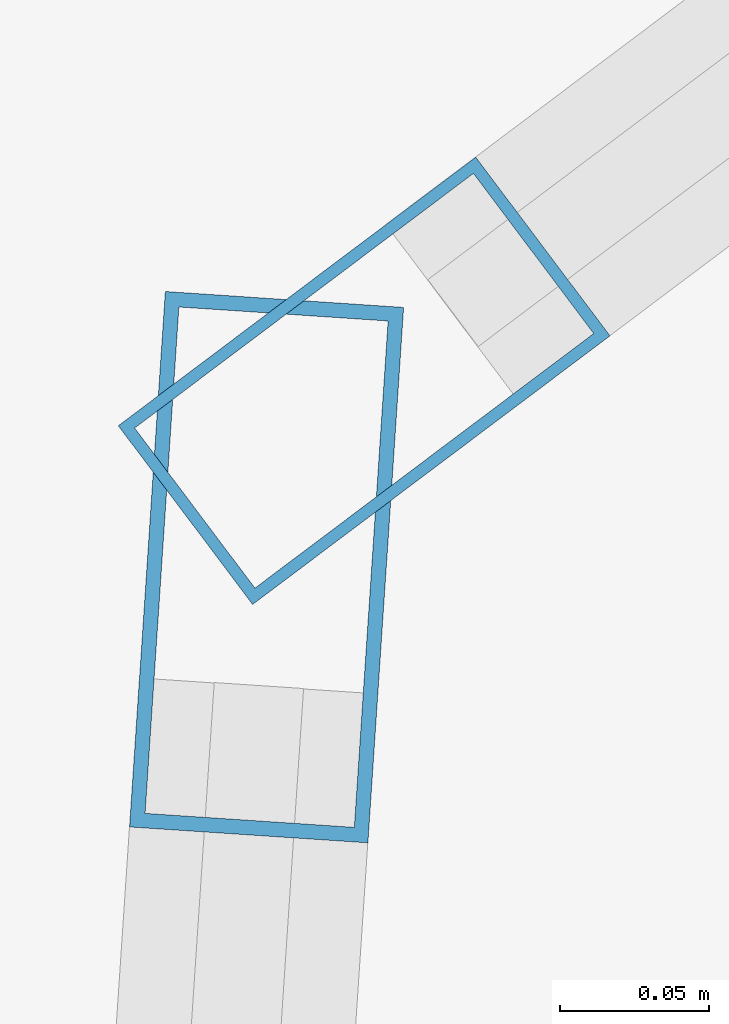
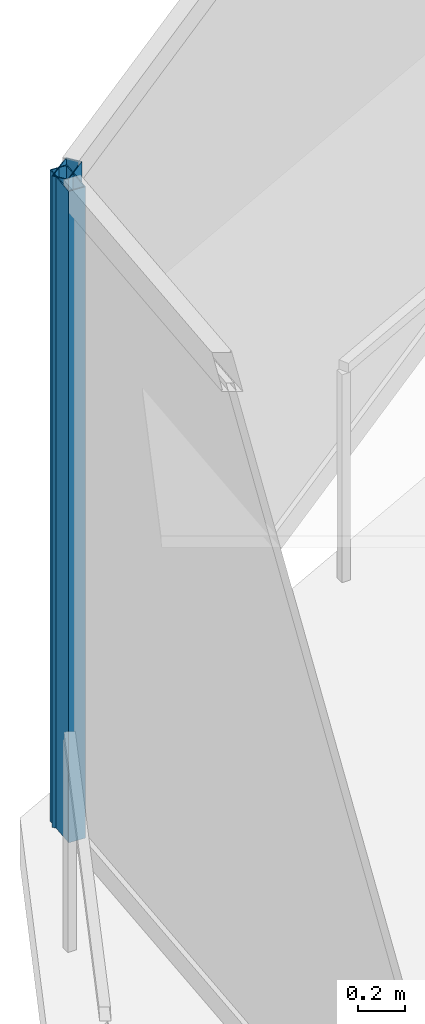
# One storey, part 16 of 30: 2 members, 2 elements without a shape of their own.
"""IFC4 building model written with IfcOpenShell, lengths in metres."""

from ifc_helpers import new_model, si_unit, direction, frame, origin, origin_2d, place, context, subcontext, project, spatial, hollow_rectangle, extrude, material, layer, layer_set, material_profile, profile_set, type_object, element, aggregate, save


model = new_model("IFC4")

# Units and contexts
model_context = context("Model", 3, precision=1e-05, world=origin(), true_north=direction((0.0, 1.0)))
body_context = subcontext(model_context, "Body", "Model", "MODEL_VIEW")
ifc_project = project(units=[si_unit("LENGTHUNIT", "METRE"), si_unit("AREAUNIT", "SQUARE_METRE"), si_unit("VOLUMEUNIT", "CUBIC_METRE"), si_unit("PLANEANGLEUNIT", "RADIAN"), si_unit("MASSUNIT", "GRAM", prefix="KILO")], contexts=[model_context])

# Site, building, storey
site_placement = place(None, origin())
site = spatial("IfcSite", under=ifc_project, at=site_placement, CompositionType="ELEMENT")
building_placement = place(site_placement, origin())
building = spatial("IfcBuilding", under=site, at=building_placement, Name="Kazevale Care Tower and Concert Hall", CompositionType="ELEMENT")
storey_placement = place(building_placement, frame((0.0, 0.0, 131.39990234375)))
storey = spatial("IfcBuildingStorey", under=building, at=storey_placement, Name="L34", CompositionType="ELEMENT", Elevation=131.39990234375)

# Curtain wall, member
ifc_material_1 = material(Name="Aluminium 6063-T6 and Low-E Glass", Category="aluminium")
ifc_layer_1 = layer(ifc_material_1, 0.179931640625)
ifc_layer_set_1 = layer_set([ifc_layer_1], Name="Aluminium 6063-T6 and Low-E Glass")
curtain_wall_type_1 = type_object("IfcCurtainWallType", Name="Convex Recessed Sunroom Curtain Wall CW-3", PredefinedType="NOTDEFINED", material=ifc_layer_set_1)
curtain_wall_1_placement = place(storey_placement, origin())
curtain_wall_1 = element("IfcCurtainWall", 1, at=curtain_wall_1_placement, inside=storey, type_object=curtain_wall_type_1, Name="cw:L34:f14", PredefinedType="NOTDEFINED")
ifc_material_2 = material(Name="Aluminium 6063-T6", Category="aluminium")
ifc_material_profile_1 = material_profile(ifc_material_2, hollow_rectangle(XDim=0.074951171875, YDim=0.14990234375, WallThickness=0.00390625, at=origin_2d()), Name="ALU75x150x4")
ifc_profile_set_1 = profile_set([ifc_material_profile_1], Name="Aluminium 6063-T6")
member_type_1 = type_object("IfcMemberType", Name="CW-3 Mullion ALU75x150x4", PredefinedType="MULLION", material=ifc_profile_set_1)
member_1_placement = place(storey_placement, frame((16.55908203125, 49.66748046875, 0.0), z_axis=(0.0, 0.0, 1.0), x_axis=(-0.600797902474, 0.799400950952, 0.0)))
member_1 = element("IfcMember", 2, at=member_1_placement, type_object=member_type_1, Name="CW-3 mullion 1", PredefinedType="MULLION", context=body_context, shape_type="SweptSolid", body=[
    extrude(hollow_rectangle(XDim=0.074951171875, YDim=0.14990234375, WallThickness=0.00390625, at=origin_2d()), origin(), (0.0, 0.0, 1.0), 3.360107421875),
])
aggregate(curtain_wall_1, [member_1])

ifc_layer_2 = layer(ifc_material_1, 0.179931640625)
ifc_layer_set_2 = layer_set([ifc_layer_2], Name="Aluminium 6063-T6 and Low-E Glass")
curtain_wall_type_2 = type_object("IfcCurtainWallType", Name="Waist & Upper Residential Curtain Wall CW-4", PredefinedType="NOTDEFINED", material=ifc_layer_set_2)
curtain_wall_2_placement = place(storey_placement, origin())
curtain_wall_2 = element("IfcCurtainWall", 3, at=curtain_wall_2_placement, inside=storey, type_object=curtain_wall_type_2, Name="cw:L34:f13", PredefinedType="NOTDEFINED")
ifc_material_profile_2 = material_profile(ifc_material_2, hollow_rectangle(XDim=0.080078125, YDim=0.179931640625, WallThickness=0.0048828125, at=origin_2d()), Name="ALU80x180x5")
ifc_profile_set_2 = profile_set([ifc_material_profile_2], Name="Aluminium 6063-T6")
member_type_2 = type_object("IfcMemberType", Name="CW-4 Mullion ALU80x180x5", PredefinedType="MULLION", material=ifc_profile_set_2)
member_2_placement = place(storey_placement, frame((16.5263671875, 49.60498046875, 0.0), z_axis=(0.0, 0.0, 1.0), x_axis=(-0.997778418439, 0.06662002475, 0.0)))
member_2 = element("IfcMember", 4, at=member_2_placement, type_object=member_type_2, Name="CW-4 mullion 2", PredefinedType="MULLION", context=body_context, shape_type="SweptSolid", body=[
    extrude(hollow_rectangle(XDim=0.080078125, YDim=0.179931640625, WallThickness=0.0048828125, at=origin_2d()), origin(), (0.0, 0.0, 1.0), 3.360107421875),
])
aggregate(curtain_wall_2, [member_2])

save(model, "model.ifc")
